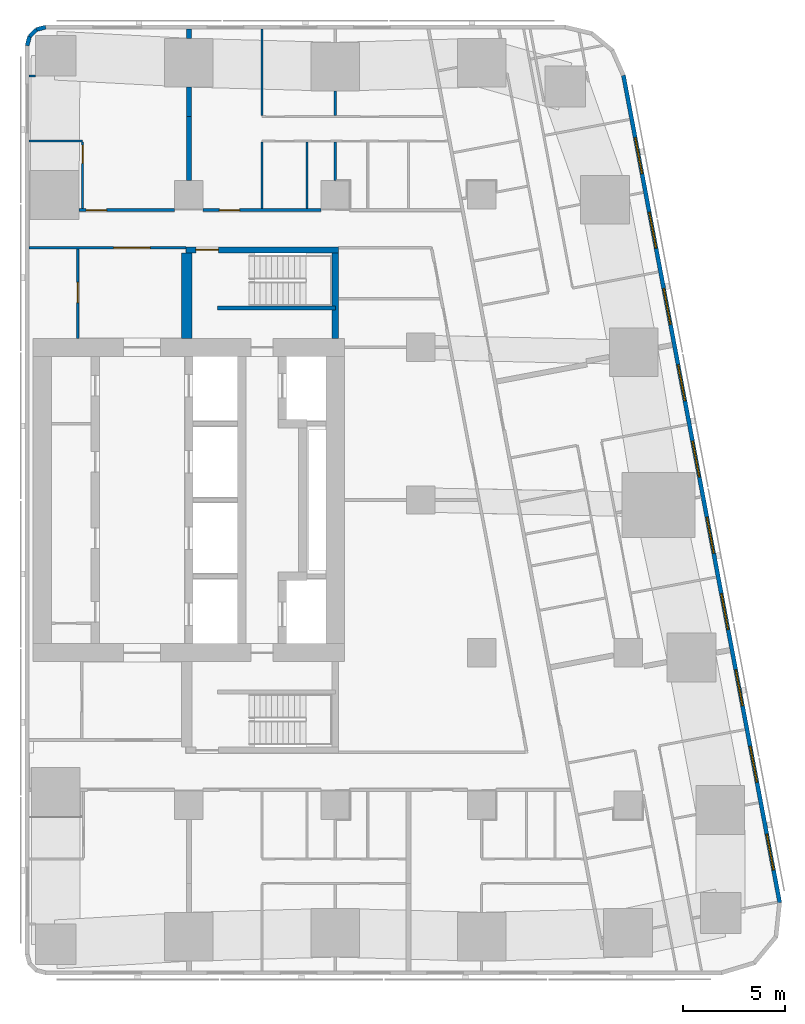
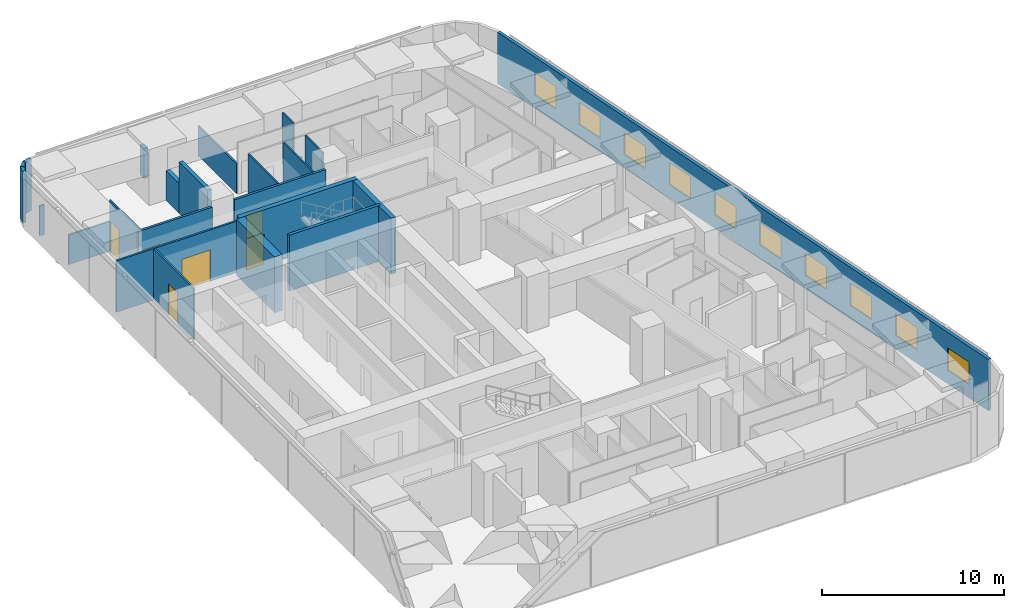
# One storey, part 6 of 10: 23 walls, 10 windows, 6 doors, 16 openings.
"""IFC4 building model written with IfcOpenShell, lengths in metres."""

from ifc_helpers import new_model, si_unit, direction, frame, frame_2d, origin, place, context, subcontext, project, spatial, rectangle, extrude, material, layer, layer_set, type_object, element, fill, save


model = new_model("IFC4")

# Units and contexts
model_context = context("Model", 3, precision=1e-05, world=origin(), true_north=direction((0.0, 1.0)))
body_context = subcontext(model_context, "Body", "Model", "MODEL_VIEW")
ifc_project = project(units=[si_unit("LENGTHUNIT", "METRE"), si_unit("AREAUNIT", "SQUARE_METRE"), si_unit("VOLUMEUNIT", "CUBIC_METRE"), si_unit("PLANEANGLEUNIT", "RADIAN"), si_unit("MASSUNIT", "GRAM", prefix="KILO")], contexts=[model_context])

# Site, building, storey
site_placement = place(None, origin())
site = spatial("IfcSite", under=ifc_project, at=site_placement, CompositionType="ELEMENT")
building_placement = place(site_placement, origin())
building = spatial("IfcBuilding", under=site, at=building_placement, Name="Sheger Commons Tower", CompositionType="ELEMENT")
storey_placement = place(building_placement, frame((0.0, 0.0, 242.449951171875)))
storey = spatial("IfcBuildingStorey", under=building, at=storey_placement, Name="L62", CompositionType="ELEMENT", Elevation=242.449951171875)

# Wall, opening, door
ifc_material_1 = material(Name="Hollow concrete block masonry, skimmed both sides", Category="masonry")
ifc_layer_1 = layer(ifc_material_1, 0.14990234375)
ifc_layer_set_1 = layer_set([ifc_layer_1], Name="CORRIDOR WALL 150")
wall_type_1 = type_object("IfcWallType", Name="CORRIDOR WALL 150", PredefinedType="SOLIDWALL", material=ifc_layer_set_1)
wall_1_placement = place(storey_placement, frame((16.200927734375, 36.75, 0.0), z_axis=(0.0, 0.0, 1.0), x_axis=(1.0, 0.0, 0.0)))
wall_1 = element("IfcWall", 1, at=wall_1_placement, inside=storey, type_object=wall_type_1, Name="Corridor wall L62", PredefinedType="SOLIDWALL", context=body_context, shape_type="SweptSolid", body=[
    extrude(rectangle(XDim=4.697998046875, YDim=0.14990234375, at=frame_2d((2.34912109375, 0.0))), origin(), (0.0, 0.0, 1.0), 3.449951171875),
])
opening_1_placement = place(wall_1_placement, frame((0.35302734375, 0.0, 0.0)))
opening_1 = element("IfcOpeningElement", 2, at=opening_1_placement, cuts=wall_1, Name="Opening D1", PredefinedType="OPENING", context=body_context, shape_type="SweptSolid", body=[
    extrude(rectangle(XDim=1.0, YDim=2.10009765625, at=frame_2d((0.5, 1.050048828125))), frame((0.0, 0.0849609375, 0.0), z_axis=(0.0, -1.0, 0.0), x_axis=(1.0, 0.0, 0.0)), (0.0, 0.0, 1.0), 0.169921875),
])
ifc_material_2 = material(Name="Steel door set, fire rated", Category="steel")
door_type_1 = type_object("IfcDoorType", Name="FLAT ENTRANCE DOOR 1000x2100", OperationType="NOTDEFINED", PredefinedType="DOOR", material=ifc_material_2)
door_1_placement = place(opening_1_placement, origin())
door_1 = element("IfcDoor", 3, at=door_1_placement, inside=storey, type_object=door_type_1, Name="Flat entrance door", OperationType="SINGLE_SWING_RIGHT", OverallHeight=2.10009765625, OverallWidth=1.0, PredefinedType="DOOR", context=body_context, shape_type="SweptSolid", body=[
    extrude(rectangle(XDim=1.0, YDim=2.10009765625, at=frame_2d((0.5, 1.050048828125))), frame((0.0, 0.02490234375, 0.0), z_axis=(0.0, -1.0, 0.0), x_axis=(1.0, 0.0, 0.0)), (0.0, 0.0, 1.0), 0.050048828125),
])
fill(opening_1, door_1)

wall_2_placement = place(storey_placement, frame((22.301025390625, 36.75, 0.0), z_axis=(0.0, 0.0, 1.0), x_axis=(1.0, 0.0, 0.0)))
wall_2 = element("IfcWall", 4, at=wall_2_placement, inside=storey, type_object=wall_type_1, Name="Corridor wall L62", PredefinedType="SOLIDWALL", context=body_context, shape_type="SweptSolid", body=[
    extrude(rectangle(XDim=5.798095703125, YDim=0.14990234375, at=frame_2d((2.89892578125, 0.0))), origin(), (0.0, 0.0, 1.0), 3.449951171875),
])
opening_2_placement = place(wall_2_placement, frame((0.799072265625, 0.0, 0.0)))
opening_2 = element("IfcOpeningElement", 5, at=opening_2_placement, cuts=wall_2, Name="Opening D1", PredefinedType="OPENING", context=body_context, shape_type="SweptSolid", body=[
    extrude(rectangle(XDim=1.0, YDim=2.10009765625, at=frame_2d((0.5, 1.050048828125))), frame((0.0, 0.0849609375, 0.0), z_axis=(0.0, -1.0, 0.0), x_axis=(1.0, 0.0, 0.0)), (0.0, 0.0, 1.0), 0.169921875),
])
door_2_placement = place(opening_2_placement, origin())
door_2 = element("IfcDoor", 6, at=door_2_placement, inside=storey, type_object=door_type_1, Name="Flat entrance door", OperationType="SINGLE_SWING_LEFT", OverallHeight=2.10009765625, OverallWidth=1.0, PredefinedType="DOOR", context=body_context, shape_type="SweptSolid", body=[
    extrude(rectangle(XDim=1.0, YDim=2.10009765625, at=frame_2d((0.5, 1.050048828125))), frame((0.0, 0.02490234375, 0.0), z_axis=(0.0, -1.0, 0.0), x_axis=(1.0, 0.0, 0.0)), (0.0, 0.0, 1.0), 0.050048828125),
])
fill(opening_2, door_2)

# Walls
ifc_material_3 = material(Name="Dense concrete block masonry, plastered both sides (separating wall between flats)", Category="masonry")
ifc_layer_2 = layer(ifc_material_3, 0.25)
ifc_layer_set_2 = layer_set([ifc_layer_2], Name="DEMISING WALL 250")
wall_type_2 = type_object("IfcWallType", Name="DEMISING WALL 250", PredefinedType="SOLIDWALL", material=ifc_layer_set_2)
wall_3_placement = place(storey_placement, frame((21.60009765625, 41.35009765625, 0.0), z_axis=(0.0, 0.0, 1.0), x_axis=(0.0, 1.0, 0.0)))
element("IfcWall", 7, at=wall_3_placement, inside=storey, type_object=wall_type_2, Name="Demising wall L62", PredefinedType="SOLIDWALL", context=body_context, shape_type="SweptSolid", body=[
    extrude(rectangle(XDim=1.448974609375, YDim=0.25, at=frame_2d((0.724609375, 0.0))), origin(), (0.0, 0.0, 1.0), 2.0),
])
wall_4_placement = place(storey_placement, frame((21.60009765625, 45.200927734375, 0.0), z_axis=(0.0, 0.0, 1.0), x_axis=(0.0, 1.0, 0.0)))
element("IfcWall", 8, at=wall_4_placement, inside=storey, type_object=wall_type_2, Name="Demising wall L62", PredefinedType="SOLIDWALL", context=body_context, shape_type="SweptSolid", body=[
    extrude(rectangle(XDim=0.448974609375, YDim=0.25, at=frame_2d((0.224609375, 0.0))), origin(), (0.0, 0.0, 1.0), 2.0),
])
wall_5_placement = place(storey_placement, frame((21.60009765625, 38.200927734375, 0.0), z_axis=(0.0, 0.0, 1.0), x_axis=(0.0, 1.0, 0.0)))
element("IfcWall", 9, at=wall_5_placement, inside=storey, type_object=wall_type_2, Name="Demising wall L62", PredefinedType="SOLIDWALL", context=body_context, shape_type="SweptSolid", body=[
    extrude(rectangle(XDim=3.149169921875, YDim=0.25, at=frame_2d((1.57470703125, 0.0))), origin(), (0.0, 0.0, 1.0), 3.449951171875),
])

# Wall, openings, windows
ifc_material_4 = material(Name="Rendered concrete block masonry, dark grey", Category="masonry")
ifc_layer_3 = layer(ifc_material_4, 0.199951171875)
ifc_layer_set_3 = layer_set([ifc_layer_3], Name="FACADE WALL 200")
wall_type_3 = type_object("IfcWallType", Name="FACADE WALL 200", PredefinedType="SOLIDWALL", material=ifc_layer_set_3)
wall_6_placement = place(storey_placement, frame((50.653076171875, 2.702880859375, 0.0), z_axis=(0.0, 0.0, 1.0), x_axis=(-0.185612026696, 0.982623109613, 0.0)))
wall_6 = element("IfcWall", 10, at=wall_6_placement, inside=storey, type_object=wall_type_3, Name="Facade wall L62", PredefinedType="SOLIDWALL", context=body_context, shape_type="SweptSolid", body=[
    extrude(rectangle(XDim=41.393310546875, YDim=0.199951171875, at=frame_2d((20.69677734375, 0.0))), origin(), (0.0, 0.0, 1.0), 3.449951171875),
])
opening_3_placement = place(wall_6_placement, frame((1.633056640625, 0.0, 0.89990234375)))
opening_3 = element("IfcOpeningElement", 11, at=opening_3_placement, cuts=wall_6, Name="Opening W2", PredefinedType="OPENING", context=body_context, shape_type="SweptSolid", body=[
    extrude(rectangle(XDim=1.800048828125, YDim=1.5, at=frame_2d((0.89990234375, 0.75))), frame((0.0, 0.10986328125, 0.0), z_axis=(0.0, -1.0, 0.0), x_axis=(1.0, 0.0, 0.0)), (0.0, 0.0, 1.0), 0.219970703125),
])
opening_4_placement = place(wall_6_placement, frame((6.031982421875, 0.0, 0.89990234375)))
opening_4 = element("IfcOpeningElement", 12, at=opening_4_placement, cuts=wall_6, Name="Opening W2", PredefinedType="OPENING", context=body_context, shape_type="SweptSolid", body=[
    extrude(rectangle(XDim=1.800048828125, YDim=1.5, at=frame_2d((0.89990234375, 0.75))), frame((0.0, 0.10986328125, 0.0), z_axis=(0.0, -1.0, 0.0), x_axis=(1.0, 0.0, 0.0)), (0.0, 0.0, 1.0), 0.219970703125),
])
opening_5_placement = place(wall_6_placement, frame((9.847900390625, 0.0, 0.89990234375)))
opening_5 = element("IfcOpeningElement", 13, at=opening_5_placement, cuts=wall_6, Name="Opening W2", PredefinedType="OPENING", context=body_context, shape_type="SweptSolid", body=[
    extrude(rectangle(XDim=1.800048828125, YDim=1.5, at=frame_2d((0.89990234375, 0.75))), frame((0.0, 0.10986328125, 0.0), z_axis=(0.0, -1.0, 0.0), x_axis=(1.0, 0.0, 0.0)), (0.0, 0.0, 1.0), 0.219970703125),
])
opening_6_placement = place(wall_6_placement, frame((13.6640625, 0.0, 0.89990234375)))
opening_6 = element("IfcOpeningElement", 14, at=opening_6_placement, cuts=wall_6, Name="Opening W2", PredefinedType="OPENING", context=body_context, shape_type="SweptSolid", body=[
    extrude(rectangle(XDim=1.800048828125, YDim=1.5, at=frame_2d((0.89990234375, 0.75))), frame((0.0, 0.10986328125, 0.0), z_axis=(0.0, -1.0, 0.0), x_axis=(1.0, 0.0, 0.0)), (0.0, 0.0, 1.0), 0.219970703125),
])
opening_7_placement = place(wall_6_placement, frame((17.48095703125, 0.0, 0.89990234375)))
opening_7 = element("IfcOpeningElement", 15, at=opening_7_placement, cuts=wall_6, Name="Opening W2", PredefinedType="OPENING", context=body_context, shape_type="SweptSolid", body=[
    extrude(rectangle(XDim=1.800048828125, YDim=1.5, at=frame_2d((0.89990234375, 0.75))), frame((0.0, 0.10986328125, 0.0), z_axis=(0.0, -1.0, 0.0), x_axis=(1.0, 0.0, 0.0)), (0.0, 0.0, 1.0), 0.219970703125),
])
opening_8_placement = place(wall_6_placement, frame((21.297119140625, 0.0, 0.89990234375)))
opening_8 = element("IfcOpeningElement", 16, at=opening_8_placement, cuts=wall_6, Name="Opening W2", PredefinedType="OPENING", context=body_context, shape_type="SweptSolid", body=[
    extrude(rectangle(XDim=1.800048828125, YDim=1.5, at=frame_2d((0.89990234375, 0.75))), frame((0.0, 0.10986328125, 0.0), z_axis=(0.0, -1.0, 0.0), x_axis=(1.0, 0.0, 0.0)), (0.0, 0.0, 1.0), 0.219970703125),
])
opening_9_placement = place(wall_6_placement, frame((25.113037109375, 0.0, 0.89990234375)))
opening_9 = element("IfcOpeningElement", 17, at=opening_9_placement, cuts=wall_6, Name="Opening W2", PredefinedType="OPENING", context=body_context, shape_type="SweptSolid", body=[
    extrude(rectangle(XDim=1.800048828125, YDim=1.5, at=frame_2d((0.89990234375, 0.75))), frame((0.0, 0.10986328125, 0.0), z_axis=(0.0, -1.0, 0.0), x_axis=(1.0, 0.0, 0.0)), (0.0, 0.0, 1.0), 0.219970703125),
])
opening_10_placement = place(wall_6_placement, frame((28.929931640625, 0.0, 0.89990234375)))
opening_10 = element("IfcOpeningElement", 18, at=opening_10_placement, cuts=wall_6, Name="Opening W2", PredefinedType="OPENING", context=body_context, shape_type="SweptSolid", body=[
    extrude(rectangle(XDim=1.800048828125, YDim=1.5, at=frame_2d((0.89990234375, 0.75))), frame((0.0, 0.10986328125, 0.0), z_axis=(0.0, -1.0, 0.0), x_axis=(1.0, 0.0, 0.0)), (0.0, 0.0, 1.0), 0.219970703125),
])
opening_11_placement = place(wall_6_placement, frame((32.74609375, 0.0, 0.89990234375)))
opening_11 = element("IfcOpeningElement", 19, at=opening_11_placement, cuts=wall_6, Name="Opening W2", PredefinedType="OPENING", context=body_context, shape_type="SweptSolid", body=[
    extrude(rectangle(XDim=1.800048828125, YDim=1.5, at=frame_2d((0.89990234375, 0.75))), frame((0.0, 0.10986328125, 0.0), z_axis=(0.0, -1.0, 0.0), x_axis=(1.0, 0.0, 0.0)), (0.0, 0.0, 1.0), 0.219970703125),
])
opening_12_placement = place(wall_6_placement, frame((36.48095703125, 0.0, 0.89990234375)))
opening_12 = element("IfcOpeningElement", 20, at=opening_12_placement, cuts=wall_6, Name="Opening W2", PredefinedType="OPENING", context=body_context, shape_type="SweptSolid", body=[
    extrude(rectangle(XDim=1.800048828125, YDim=1.5, at=frame_2d((0.89990234375, 0.75))), frame((0.0, 0.10986328125, 0.0), z_axis=(0.0, -1.0, 0.0), x_axis=(1.0, 0.0, 0.0)), (0.0, 0.0, 1.0), 0.219970703125),
])
ifc_material_5 = material(Name="Black aluminium frame, dark tinted double glazing", Category="aluminium")
window_type = type_object("IfcWindowType", Name="WINDOW W2 1800x1500", PartitioningType="SINGLE_PANEL", PredefinedType="WINDOW", material=ifc_material_5)
window_1_placement = place(opening_3_placement, origin())
window_1 = element("IfcWindow", 21, at=window_1_placement, inside=storey, type_object=window_type, Name="Window W2 1800X1500", OverallHeight=1.5, OverallWidth=1.800048828125, PartitioningType="SINGLE_PANEL", PredefinedType="WINDOW", context=body_context, shape_type="SweptSolid", body=[
    extrude(rectangle(XDim=1.800048828125, YDim=1.5, at=frame_2d((0.89990234375, 0.75))), frame((0.0, 0.030029296875, 0.0), z_axis=(0.0, -1.0, 0.0), x_axis=(1.0, 0.0, 0.0)), (0.0, 0.0, 1.0), 0.06005859375),
])
fill(opening_3, window_1)
window_2_placement = place(opening_4_placement, origin())
window_2 = element("IfcWindow", 22, at=window_2_placement, inside=storey, type_object=window_type, Name="Window W2 1800X1500", OverallHeight=1.5, OverallWidth=1.800048828125, PartitioningType="SINGLE_PANEL", PredefinedType="WINDOW", context=body_context, shape_type="SweptSolid", body=[
    extrude(rectangle(XDim=1.800048828125, YDim=1.5, at=frame_2d((0.89990234375, 0.75))), frame((0.0, 0.030029296875, 0.0), z_axis=(0.0, -1.0, 0.0), x_axis=(1.0, 0.0, 0.0)), (0.0, 0.0, 1.0), 0.06005859375),
])
fill(opening_4, window_2)
window_3_placement = place(opening_5_placement, origin())
window_3 = element("IfcWindow", 23, at=window_3_placement, inside=storey, type_object=window_type, Name="Window W2 1800X1500", OverallHeight=1.5, OverallWidth=1.800048828125, PartitioningType="SINGLE_PANEL", PredefinedType="WINDOW", context=body_context, shape_type="SweptSolid", body=[
    extrude(rectangle(XDim=1.800048828125, YDim=1.5, at=frame_2d((0.89990234375, 0.75))), frame((0.0, 0.030029296875, 0.0), z_axis=(0.0, -1.0, 0.0), x_axis=(1.0, 0.0, 0.0)), (0.0, 0.0, 1.0), 0.06005859375),
])
fill(opening_5, window_3)
window_4_placement = place(opening_6_placement, origin())
window_4 = element("IfcWindow", 24, at=window_4_placement, inside=storey, type_object=window_type, Name="Window W2 1800X1500", OverallHeight=1.5, OverallWidth=1.800048828125, PartitioningType="SINGLE_PANEL", PredefinedType="WINDOW", context=body_context, shape_type="SweptSolid", body=[
    extrude(rectangle(XDim=1.800048828125, YDim=1.5, at=frame_2d((0.89990234375, 0.75))), frame((0.0, 0.030029296875, 0.0), z_axis=(0.0, -1.0, 0.0), x_axis=(1.0, 0.0, 0.0)), (0.0, 0.0, 1.0), 0.06005859375),
])
fill(opening_6, window_4)
window_5_placement = place(opening_7_placement, origin())
window_5 = element("IfcWindow", 25, at=window_5_placement, inside=storey, type_object=window_type, Name="Window W2 1800X1500", OverallHeight=1.5, OverallWidth=1.800048828125, PartitioningType="SINGLE_PANEL", PredefinedType="WINDOW", context=body_context, shape_type="SweptSolid", body=[
    extrude(rectangle(XDim=1.800048828125, YDim=1.5, at=frame_2d((0.89990234375, 0.75))), frame((0.0, 0.030029296875, 0.0), z_axis=(0.0, -1.0, 0.0), x_axis=(1.0, 0.0, 0.0)), (0.0, 0.0, 1.0), 0.06005859375),
])
fill(opening_7, window_5)
window_6_placement = place(opening_8_placement, origin())
window_6 = element("IfcWindow", 26, at=window_6_placement, inside=storey, type_object=window_type, Name="Window W2 1800X1500", OverallHeight=1.5, OverallWidth=1.800048828125, PartitioningType="SINGLE_PANEL", PredefinedType="WINDOW", context=body_context, shape_type="SweptSolid", body=[
    extrude(rectangle(XDim=1.800048828125, YDim=1.5, at=frame_2d((0.89990234375, 0.75))), frame((0.0, 0.030029296875, 0.0), z_axis=(0.0, -1.0, 0.0), x_axis=(1.0, 0.0, 0.0)), (0.0, 0.0, 1.0), 0.06005859375),
])
fill(opening_8, window_6)
window_7_placement = place(opening_9_placement, origin())
window_7 = element("IfcWindow", 27, at=window_7_placement, inside=storey, type_object=window_type, Name="Window W2 1800X1500", OverallHeight=1.5, OverallWidth=1.800048828125, PartitioningType="SINGLE_PANEL", PredefinedType="WINDOW", context=body_context, shape_type="SweptSolid", body=[
    extrude(rectangle(XDim=1.800048828125, YDim=1.5, at=frame_2d((0.89990234375, 0.75))), frame((0.0, 0.030029296875, 0.0), z_axis=(0.0, -1.0, 0.0), x_axis=(1.0, 0.0, 0.0)), (0.0, 0.0, 1.0), 0.06005859375),
])
fill(opening_9, window_7)
window_8_placement = place(opening_10_placement, origin())
window_8 = element("IfcWindow", 28, at=window_8_placement, inside=storey, type_object=window_type, Name="Window W2 1800X1500", OverallHeight=1.5, OverallWidth=1.800048828125, PartitioningType="SINGLE_PANEL", PredefinedType="WINDOW", context=body_context, shape_type="SweptSolid", body=[
    extrude(rectangle(XDim=1.800048828125, YDim=1.5, at=frame_2d((0.89990234375, 0.75))), frame((0.0, 0.030029296875, 0.0), z_axis=(0.0, -1.0, 0.0), x_axis=(1.0, 0.0, 0.0)), (0.0, 0.0, 1.0), 0.06005859375),
])
fill(opening_10, window_8)
window_9_placement = place(opening_11_placement, origin())
window_9 = element("IfcWindow", 29, at=window_9_placement, inside=storey, type_object=window_type, Name="Window W2 1800X1500", OverallHeight=1.5, OverallWidth=1.800048828125, PartitioningType="SINGLE_PANEL", PredefinedType="WINDOW", context=body_context, shape_type="SweptSolid", body=[
    extrude(rectangle(XDim=1.800048828125, YDim=1.5, at=frame_2d((0.89990234375, 0.75))), frame((0.0, 0.030029296875, 0.0), z_axis=(0.0, -1.0, 0.0), x_axis=(1.0, 0.0, 0.0)), (0.0, 0.0, 1.0), 0.06005859375),
])
fill(opening_11, window_9)
window_10_placement = place(opening_12_placement, origin())
window_10 = element("IfcWindow", 30, at=window_10_placement, inside=storey, type_object=window_type, Name="Window W2 1800X1500", OverallHeight=1.5, OverallWidth=1.800048828125, PartitioningType="SINGLE_PANEL", PredefinedType="WINDOW", context=body_context, shape_type="SweptSolid", body=[
    extrude(rectangle(XDim=1.800048828125, YDim=1.5, at=frame_2d((0.89990234375, 0.75))), frame((0.0, 0.030029296875, 0.0), z_axis=(0.0, -1.0, 0.0), x_axis=(1.0, 0.0, 0.0)), (0.0, 0.0, 1.0), 0.06005859375),
])
fill(opening_12, window_10)

# Walls
wall_7_placement = place(storey_placement, frame((14.56298828125, 45.75, 0.0), z_axis=(0.0, 0.0, 1.0), x_axis=(-0.965655254015, -0.259826731483, 0.0)))
element("IfcWall", 31, at=wall_7_placement, inside=storey, type_object=wall_type_3, Name="Facade wall L62", PredefinedType="SOLIDWALL", context=body_context, shape_type="SweptSolid", body=[
    extrude(rectangle(XDim=0.477294921875, YDim=0.199951171875, at=frame_2d((0.23876953125, 0.0))), origin(), (0.0, 0.0, 1.0), 3.449951171875),
])
wall_8_placement = place(storey_placement, frame((14.10205078125, 45.6259765625, 0.0), z_axis=(0.0, 0.0, 1.0), x_axis=(-0.707369890659, -0.706843573776, 0.0)))
element("IfcWall", 32, at=wall_8_placement, inside=storey, type_object=wall_type_3, Name="Facade wall L62", PredefinedType="SOLIDWALL", context=body_context, shape_type="SweptSolid", body=[
    extrude(rectangle(XDim=0.4638671875, YDim=0.199951171875, at=frame_2d((0.23193359375, 0.0))), origin(), (0.0, 0.0, 1.0), 3.449951171875),
])
wall_9_placement = place(storey_placement, frame((13.77392578125, 45.298095703125, 0.0), z_axis=(0.0, 0.0, 1.0), x_axis=(-0.259698463175, -0.965689757751, 0.0)))
element("IfcWall", 33, at=wall_9_placement, inside=storey, type_object=wall_type_3, Name="Facade wall L62", PredefinedType="SOLIDWALL", context=body_context, shape_type="SweptSolid", body=[
    extrude(rectangle(XDim=0.4775390625, YDim=0.199951171875, at=frame_2d((0.23876953125, 0.0))), origin(), (0.0, 0.0, 1.0), 3.449951171875),
])
ifc_material_6 = material(Name="Gypsum board on steel studs", Category="steel")
ifc_layer_4 = layer(ifc_material_6, 0.10009765625)
ifc_layer_set_4 = layer_set([ifc_layer_4], Name="PARTITION 100")
wall_type_4 = type_object("IfcWallType", Name="PARTITION 100", PredefinedType="PARTITIONING", material=ifc_layer_set_4)
wall_10_placement = place(storey_placement, frame((14.053955078125, 43.345947265625, 0.0), z_axis=(0.0, 0.0, 1.0), x_axis=(-1.0, 0.0, 0.0)))
element("IfcWall", 34, at=wall_10_placement, inside=storey, type_object=wall_type_4, Name="Partition L62", PredefinedType="PARTITIONING", context=body_context, shape_type="SweptSolid", body=[
    extrude(rectangle(XDim=0.303955078125, YDim=0.10009765625, at=frame_2d((0.15185546875, 0.0))), origin(), (0.0, 0.0, 1.0), 2.0),
])
wall_11_placement = place(storey_placement, frame((13.75, 40.14990234375, 0.0), z_axis=(0.0, 0.0, 1.0), x_axis=(1.0, 0.0, 0.0)))
element("IfcWall", 35, at=wall_11_placement, inside=storey, type_object=wall_type_4, Name="Partition L62", PredefinedType="PARTITIONING", context=body_context, shape_type="SweptSolid", body=[
    extrude(rectangle(XDim=2.62890625, YDim=0.10009765625, at=frame_2d((1.314453125, 0.0))), origin(), (0.0, 0.0, 1.0), 2.0),
])

# Wall, opening, door
wall_12_placement = place(storey_placement, frame((16.37890625, 36.824951171875, 0.0), z_axis=(0.0, 0.0, 1.0), x_axis=(0.0, 1.0, 0.0)))
wall_12 = element("IfcWall", 36, at=wall_12_placement, inside=storey, type_object=wall_type_4, Name="Partition L62", PredefinedType="PARTITIONING", context=body_context, shape_type="SweptSolid", body=[
    extrude(rectangle(XDim=3.275146484375, YDim=0.10009765625, at=frame_2d((1.6376953125, 0.0))), origin(), (0.0, 0.0, 1.0), 3.449951171875),
])
opening_13_placement = place(wall_12_placement, frame((2.22509765625, 0.0, 0.0)))
opening_13 = element("IfcOpeningElement", 37, at=opening_13_placement, cuts=wall_12, Name="Opening D2", PredefinedType="OPENING", context=body_context, shape_type="SweptSolid", body=[
    extrude(rectangle(XDim=0.89990234375, YDim=2.10009765625, at=frame_2d((0.449951171875, 1.050048828125))), frame((0.0, 0.06005859375, 0.0), z_axis=(0.0, -1.0, 0.0), x_axis=(1.0, 0.0, 0.0)), (0.0, 0.0, 1.0), 0.1201171875),
])
ifc_material_7 = material(Name="Timber door set", Category="wood")
door_type_2 = type_object("IfcDoorType", Name="INTERNAL DOOR 900x2100", OperationType="NOTDEFINED", PredefinedType="DOOR", material=ifc_material_7)
door_3_placement = place(opening_13_placement, origin())
door_3 = element("IfcDoor", 38, at=door_3_placement, inside=storey, type_object=door_type_2, Name="Shower room door", OperationType="SINGLE_SWING_RIGHT", OverallHeight=2.10009765625, OverallWidth=0.89990234375, PredefinedType="DOOR", context=body_context, shape_type="SweptSolid", body=[
    extrude(rectangle(XDim=0.89990234375, YDim=2.10009765625, at=frame_2d((0.449951171875, 1.050048828125))), frame((0.0, 0.02490234375, 0.0), z_axis=(0.0, -1.0, 0.0), x_axis=(1.0, 0.0, 0.0)), (0.0, 0.0, 1.0), 0.050048828125),
])
fill(opening_13, door_3)

# Walls
wall_13_placement = place(storey_placement, frame((25.199951171875, 41.39990234375, 0.0), z_axis=(0.0, 0.0, 1.0), x_axis=(0.0, 1.0, 0.0)))
element("IfcWall", 39, at=wall_13_placement, inside=storey, type_object=wall_type_4, Name="Partition L62", PredefinedType="PARTITIONING", context=body_context, shape_type="SweptSolid", body=[
    extrude(rectangle(XDim=4.25, YDim=0.10009765625, at=frame_2d((2.125, 0.0))), origin(), (0.0, 0.0, 1.0), 2.0),
])
wall_14_placement = place(storey_placement, frame((28.800048828125, 41.39990234375, 0.0), z_axis=(0.0, 0.0, 1.0), x_axis=(0.0, 1.0, 0.0)))
element("IfcWall", 40, at=wall_14_placement, inside=storey, type_object=wall_type_4, Name="Partition L62", PredefinedType="PARTITIONING", context=body_context, shape_type="SweptSolid", body=[
    extrude(rectangle(XDim=1.19921875, YDim=0.10009765625, at=frame_2d((0.599609375, 0.0))), origin(), (0.0, 0.0, 1.0), 3.449951171875),
])
wall_15_placement = place(storey_placement, frame((25.199951171875, 36.824951171875, 0.0), z_axis=(0.0, 0.0, 1.0), x_axis=(0.0, 1.0, 0.0)))
element("IfcWall", 41, at=wall_15_placement, inside=storey, type_object=wall_type_4, Name="Partition L62", PredefinedType="PARTITIONING", context=body_context, shape_type="SweptSolid", body=[
    extrude(rectangle(XDim=3.275146484375, YDim=0.10009765625, at=frame_2d((1.6376953125, 0.0))), origin(), (0.0, 0.0, 1.0), 3.449951171875),
])
wall_16_placement = place(storey_placement, frame((28.800048828125, 38.200927734375, 0.0), z_axis=(0.0, 0.0, 1.0), x_axis=(0.0, 1.0, 0.0)))
element("IfcWall", 42, at=wall_16_placement, inside=storey, type_object=wall_type_4, Name="Partition L62", PredefinedType="PARTITIONING", context=body_context, shape_type="SweptSolid", body=[
    extrude(rectangle(XDim=1.899169921875, YDim=0.10009765625, at=frame_2d((0.94970703125, 0.0))), origin(), (0.0, 0.0, 1.0), 3.449951171875),
])
wall_17_placement = place(storey_placement, frame((27.409912109375, 36.824951171875, 0.0), z_axis=(0.0, 0.0, 1.0), x_axis=(0.0, 1.0, 0.0)))
element("IfcWall", 43, at=wall_17_placement, inside=storey, type_object=wall_type_4, Name="Partition L62", PredefinedType="PARTITIONING", context=body_context, shape_type="SweptSolid", body=[
    extrude(rectangle(XDim=3.275146484375, YDim=0.10009765625, at=frame_2d((1.6376953125, 0.0))), origin(), (0.0, 0.0, 1.0), 3.449951171875),
])

# Wall, opening, door
ifc_material_8 = material(Name="Gypsum board on steel studs, two layers each side, fire rated", Category="steel")
ifc_layer_5 = layer(ifc_material_8, 0.125)
ifc_layer_set_5 = layer_set([ifc_layer_5], Name="SERVICE WALL 125")
wall_type_5 = type_object("IfcWallType", Name="SERVICE WALL 125", PredefinedType="PARTITIONING", material=ifc_layer_set_5)
wall_18_placement = place(storey_placement, frame((13.75, 34.89990234375, 0.0), z_axis=(0.0, 0.0, 1.0), x_axis=(1.0, 0.0, 0.0)))
wall_18 = element("IfcWall", 44, at=wall_18_placement, inside=storey, type_object=wall_type_5, Name="Service room wall L62", PredefinedType="PARTITIONING", context=body_context, shape_type="SweptSolid", body=[
    extrude(rectangle(XDim=7.699951171875, YDim=0.125, at=frame_2d((3.85009765625, 0.0))), origin(), (0.0, 0.0, 1.0), 3.449951171875),
])
opening_14_placement = place(wall_18_placement, frame((4.14990234375, 0.0, 0.0)))
opening_14 = element("IfcOpeningElement", 45, at=opening_14_placement, cuts=wall_18, Name="Opening D6", PredefinedType="OPENING", context=body_context, shape_type="SweptSolid", body=[
    extrude(rectangle(XDim=1.800048828125, YDim=2.10009765625, at=frame_2d((0.89990234375, 1.050048828125))), frame((0.0, 0.072509765625, 0.0), z_axis=(0.0, -1.0, 0.0), x_axis=(1.0, 0.0, 0.0)), (0.0, 0.0, 1.0), 0.14501953125),
])
ifc_material_9 = material(Name="Steel door set, fire rated", Category="steel")
door_type_3 = type_object("IfcDoorType", Name="LOBBY DOUBLE DOOR 1800x2100", OperationType="DOUBLE_DOOR_SINGLE_SWING", PredefinedType="DOOR", material=ifc_material_9)
door_4_placement = place(opening_14_placement, origin())
door_4 = element("IfcDoor", 46, at=door_4_placement, inside=storey, type_object=door_type_3, Name="Lift lobby north door", OperationType="DOUBLE_DOOR_SINGLE_SWING", OverallHeight=2.10009765625, OverallWidth=1.800048828125, PredefinedType="DOOR", context=body_context, shape_type="SweptSolid", body=[
    extrude(rectangle(XDim=1.800048828125, YDim=2.10009765625, at=frame_2d((0.89990234375, 1.050048828125))), frame((0.0, 0.02490234375, 0.0), z_axis=(0.0, -1.0, 0.0), x_axis=(1.0, 0.0, 0.0)), (0.0, 0.0, 1.0), 0.050048828125),
])
fill(opening_14, door_4)

wall_19_placement = place(storey_placement, frame((16.14990234375, 30.449951171875, 0.0), z_axis=(0.0, 0.0, 1.0), x_axis=(0.0, 1.0, 0.0)))
wall_19 = element("IfcWall", 47, at=wall_19_placement, inside=storey, type_object=wall_type_5, Name="Service room wall L62", PredefinedType="PARTITIONING", context=body_context, shape_type="SweptSolid", body=[
    extrude(rectangle(XDim=4.386962890625, YDim=0.125, at=frame_2d((2.193359375, 0.0))), origin(), (0.0, 0.0, 1.0), 3.449951171875),
])
opening_15_placement = place(wall_19_placement, frame((1.75, 0.0, 0.0)))
opening_15 = element("IfcOpeningElement", 48, at=opening_15_placement, cuts=wall_19, Name="Opening D4", PredefinedType="OPENING", context=body_context, shape_type="SweptSolid", body=[
    extrude(rectangle(XDim=1.0, YDim=2.10009765625, at=frame_2d((0.5, 1.050048828125))), frame((0.0, 0.072509765625, 0.0), z_axis=(0.0, -1.0, 0.0), x_axis=(1.0, 0.0, 0.0)), (0.0, 0.0, 1.0), 0.14501953125),
])
ifc_material_10 = material(Name="Steel door set, fire rated", Category="steel")
door_type_4 = type_object("IfcDoorType", Name="SERVICE DOOR 1000x2100", OperationType="NOTDEFINED", PredefinedType="DOOR", material=ifc_material_10)
door_5_placement = place(opening_15_placement, origin())
door_5 = element("IfcDoor", 49, at=door_5_placement, inside=storey, type_object=door_type_4, Name="Telecom room door", OperationType="SINGLE_SWING_RIGHT", OverallHeight=2.10009765625, OverallWidth=1.0, PredefinedType="DOOR", context=body_context, shape_type="SweptSolid", body=[
    extrude(rectangle(XDim=1.0, YDim=2.10009765625, at=frame_2d((0.5, 1.050048828125))), frame((0.0, 0.02490234375, 0.0), z_axis=(0.0, -1.0, 0.0), x_axis=(1.0, 0.0, 0.0)), (0.0, 0.0, 1.0), 0.050048828125),
])
fill(opening_15, door_5)

ifc_material_11 = material(Name="Concrete C50/60", Category="concrete")
ifc_layer_6 = layer(ifc_material_11, 0.300048828125)
ifc_layer_set_6 = layer_set([ifc_layer_6], Name="STAIR CORE WALL 300")
wall_type_6 = type_object("IfcWallType", Name="STAIR CORE WALL 300", PredefinedType="SHEAR", material=ifc_layer_set_6)
wall_20_placement = place(storey_placement, frame((21.449951171875, 34.800048828125, 0.0), z_axis=(0.0, 0.0, 1.0), x_axis=(1.0, 0.0, 0.0)))
wall_20 = element("IfcWall", 50, at=wall_20_placement, inside=storey, type_object=wall_type_6, Name="STW-L62-S2N", PredefinedType="SHEAR", context=body_context, shape_type="SweptSolid", body=[
    extrude(rectangle(XDim=7.5, YDim=0.300048828125, at=frame_2d((3.75, 0.0))), origin(), (0.0, 0.0, 1.0), 3.75),
])
opening_16_placement = place(wall_20_placement, frame((0.5, 0.0, 0.0)))
opening_16 = element("IfcOpeningElement", 51, at=opening_16_placement, cuts=wall_20, Name="Opening D5", PredefinedType="OPENING", context=body_context, shape_type="SweptSolid", body=[
    extrude(rectangle(XDim=1.10009765625, YDim=2.10009765625, at=frame_2d((0.550048828125, 1.050048828125))), frame((0.0, 0.159912109375, 0.0), z_axis=(0.0, -1.0, 0.0), x_axis=(1.0, 0.0, 0.0)), (0.0, 0.0, 1.0), 0.320068359375),
])
ifc_material_12 = material(Name="Steel door set, fire rated", Category="steel")
door_type_5 = type_object("IfcDoorType", Name="STAIR DOOR 1100x2100", OperationType="NOTDEFINED", PredefinedType="DOOR", material=ifc_material_12)
door_6_placement = place(opening_16_placement, origin())
door_6 = element("IfcDoor", 52, at=door_6_placement, inside=storey, type_object=door_type_5, Name="Stair S2 door", OperationType="SINGLE_SWING_RIGHT", OverallHeight=2.10009765625, OverallWidth=1.10009765625, PredefinedType="DOOR", context=body_context, shape_type="SweptSolid", body=[
    extrude(rectangle(XDim=1.10009765625, YDim=2.10009765625, at=frame_2d((0.550048828125, 1.050048828125))), frame((0.0, 0.02490234375, 0.0), z_axis=(0.0, -1.0, 0.0), x_axis=(1.0, 0.0, 0.0)), (0.0, 0.0, 1.0), 0.050048828125),
])
fill(opening_16, door_6)

# Walls
wall_21_placement = place(storey_placement, frame((28.800048828125, 30.449951171875, 0.0), z_axis=(0.0, 0.0, 1.0), x_axis=(0.0, 1.0, 0.0)))
element("IfcWall", 53, at=wall_21_placement, inside=storey, type_object=wall_type_6, Name="STW-L62-S2E", PredefinedType="SHEAR", context=body_context, shape_type="SweptSolid", body=[
    extrude(rectangle(XDim=4.199951171875, YDim=0.300048828125, at=frame_2d((2.10009765625, 0.0))), origin(), (0.0, 0.0, 1.0), 3.75),
])
ifc_material_13 = material(Name="Concrete C50/60", Category="concrete")
ifc_layer_7 = layer(ifc_material_13, 0.5)
ifc_layer_set_7 = layer_set([ifc_layer_7], Name="STAIR CORE WALL 500")
wall_type_7 = type_object("IfcWallType", Name="STAIR CORE WALL 500", PredefinedType="SHEAR", material=ifc_layer_set_7)
wall_22_placement = place(storey_placement, frame((21.5, 30.449951171875, 0.0), z_axis=(0.0, 0.0, 1.0), x_axis=(0.0, 1.0, 0.0)))
element("IfcWall", 54, at=wall_22_placement, inside=storey, type_object=wall_type_7, Name="STW-L62-S2W", PredefinedType="SHEAR", context=body_context, shape_type="SweptSolid", body=[
    extrude(rectangle(XDim=4.199951171875, YDim=0.5, at=frame_2d((2.10009765625, 0.0))), origin(), (0.0, 0.0, 1.0), 3.75),
])
ifc_material_14 = material(Name="Concrete C50/60", Category="concrete")
ifc_layer_8 = layer(ifc_material_14, 0.199951171875)
ifc_layer_set_8 = layer_set([ifc_layer_8], Name="STAIR SPINE WALL 200")
wall_type_8 = type_object("IfcWallType", Name="STAIR SPINE WALL 200", PredefinedType="SHEAR", material=ifc_layer_set_8)
wall_23_placement = place(storey_placement, frame((23.0, 31.949951171875, 0.0), z_axis=(0.0, 0.0, 1.0), x_axis=(1.0, 0.0, 0.0)))
element("IfcWall", 55, at=wall_23_placement, inside=storey, type_object=wall_type_8, Name="Stair spine wall L62", PredefinedType="SHEAR", context=body_context, shape_type="SweptSolid", body=[
    extrude(rectangle(XDim=5.800048828125, YDim=0.199951171875, at=frame_2d((2.89990234375, 0.0))), origin(), (0.0, 0.0, 1.0), 3.75),
])

save(model, "model.ifc")
